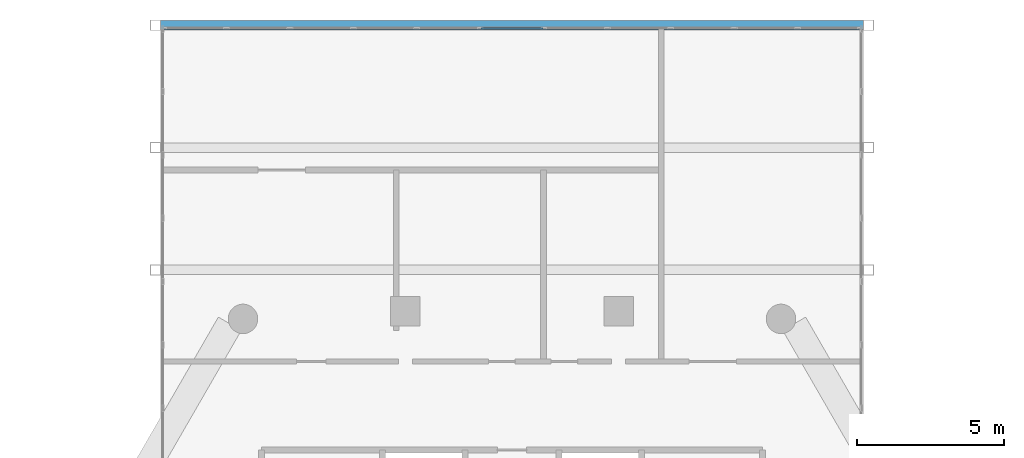
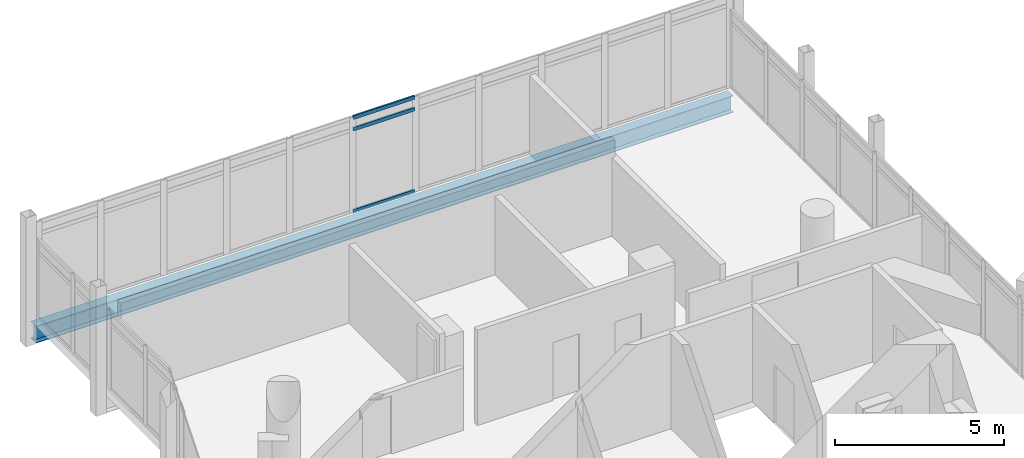
# One storey, part 18 of 29: 3 members, 1 beam, 1 element without a shape of its own.
"""IFC4 building model written with IfcOpenShell, lengths in metres."""

from ifc_helpers import new_model, si_unit, direction, frame, origin, origin_2d, place, context, subcontext, project, spatial, hollow_rectangle, i_section, extrude, material, material_profile, profile_set, type_object, element, aggregate, save


model = new_model("IFC4")

# Units and contexts
model_context = context("Model", 3, precision=1e-05, world=origin(), true_north=direction((0.0, 1.0)))
body_context = subcontext(model_context, "Body", "Model", "MODEL_VIEW")
ifc_project = project(units=[si_unit("LENGTHUNIT", "METRE"), si_unit("AREAUNIT", "SQUARE_METRE"), si_unit("VOLUMEUNIT", "CUBIC_METRE"), si_unit("PLANEANGLEUNIT", "RADIAN"), si_unit("MASSUNIT", "GRAM", prefix="KILO")], contexts=[model_context])

# Site, building, storey
site_placement = place(None, origin())
site = spatial("IfcSite", under=ifc_project, at=site_placement, CompositionType="ELEMENT")
building_placement = place(site_placement, origin())
building = spatial("IfcBuilding", under=site, at=building_placement, Name="Ostrander Bayou Hotel Tower", CompositionType="ELEMENT")
storey_placement = place(building_placement, frame((0.0, 0.0, 205.75)))
storey = spatial("IfcBuildingStorey", under=building, at=storey_placement, Name="L51", CompositionType="ELEMENT", Elevation=205.75)

# Curtain wall, members
ifc_material_1 = material(Name="Aluminium and clear glass", Category="aluminium")
curtain_wall_type = type_object("IfcCurtainWallType", Name="CW-BAR glazed wall", PredefinedType="NOTDEFINED", material=ifc_material_1)
curtain_wall_placement = place(storey_placement, origin())
curtain_wall = element("IfcCurtainWall", 1, at=curtain_wall_placement, inside=storey, type_object=curtain_wall_type, Name="CW-BAR L51:SB4N:T", PredefinedType="NOTDEFINED")
ifc_material_2 = material(Name="Aluminium", Category="aluminium")
ifc_material_profile_1 = material_profile(ifc_material_2, hollow_rectangle(XDim=0.06005859375, YDim=0.1298828125, WallThickness=0.00390625, at=origin_2d()))
ifc_profile_set_1 = profile_set([ifc_material_profile_1], Name="Aluminium")
member_type = type_object("IfcMemberType", Name="CW-BR transom 60 x 130 mm", PredefinedType="USERDEFINED", material=ifc_profile_set_1)
member_1_placement = place(storey_placement, frame((-1.0478515625, 27.916015625, 0.030029296875), z_axis=(1.0, 0.0, 0.0), x_axis=(0.0, 1.0, 0.0)))
member_1 = element("IfcMember", 2, at=member_1_placement, type_object=member_type, Name="CW-BAR transom 6.1", ObjectType="TRANSOM", PredefinedType="USERDEFINED", context=body_context, shape_type="SweptSolid", body=[
    extrude(hollow_rectangle(XDim=0.06005859375, YDim=0.1298828125, WallThickness=0.00390625, at=origin_2d()), origin(), (0.0, 0.0, 1.0), 2.095703125),
])
member_2_placement = place(storey_placement, frame((-1.0478515625, 27.916015625, 3.0), z_axis=(1.0, 0.0, 0.0), x_axis=(0.0, 1.0, 0.0)))
member_2 = element("IfcMember", 3, at=member_2_placement, type_object=member_type, Name="CW-BAR transom 6.2", ObjectType="TRANSOM", PredefinedType="USERDEFINED", context=body_context, shape_type="SweptSolid", body=[
    extrude(hollow_rectangle(XDim=0.06005859375, YDim=0.1298828125, WallThickness=0.00390625, at=origin_2d()), origin(), (0.0, 0.0, 1.0), 2.095703125),
])
member_3_placement = place(storey_placement, frame((-1.0478515625, 27.916015625, 3.419921875), z_axis=(1.0, 0.0, 0.0), x_axis=(0.0, 1.0, 0.0)))
member_3 = element("IfcMember", 4, at=member_3_placement, type_object=member_type, Name="CW-BAR transom 6.3", ObjectType="TRANSOM", PredefinedType="USERDEFINED", context=body_context, shape_type="SweptSolid", body=[
    extrude(hollow_rectangle(XDim=0.06005859375, YDim=0.1298828125, WallThickness=0.00390625, at=origin_2d()), origin(), (0.0, 0.0, 1.0), 2.095703125),
])
aggregate(curtain_wall, [member_1, member_2, member_3])

# Beam
ifc_material_3 = material(Name="Steel ASTM A992", Category="steel")
ifc_material_profile_2 = material_profile(ifc_material_3, i_section(OverallWidth=0.32373046875, OverallDepth=0.611083984375, WebThickness=0.0126953125, FlangeThickness=0.01904296875, at=origin_2d()))
ifc_profile_set_2 = profile_set([ifc_material_profile_2], Name="Steel ASTM A992")
beam_type = type_object("IfcBeamType", Name="TF2 bar floor beam W24x104", PredefinedType="BEAM", material=ifc_profile_set_2)
beam_placement = place(storey_placement, frame((-11.93212890625, 28.01611328125, -0.605712890625), z_axis=(1.0, 0.0, 0.0), x_axis=(0.0, 1.0, 0.0)))
element("IfcBeam", 5, at=beam_placement, inside=storey, type_object=beam_type, Name="TF2 SB4W L4-1", PredefinedType="BEAM", context=body_context, shape_type="SweptSolid", body=[
    extrude(i_section(OverallWidth=0.32373046875, OverallDepth=0.611083984375, WebThickness=0.0126953125, FlangeThickness=0.01904296875, at=origin_2d()), origin(), (0.0, 0.0, 1.0), 23.8642578125),
])

save(model, "model.ifc")
